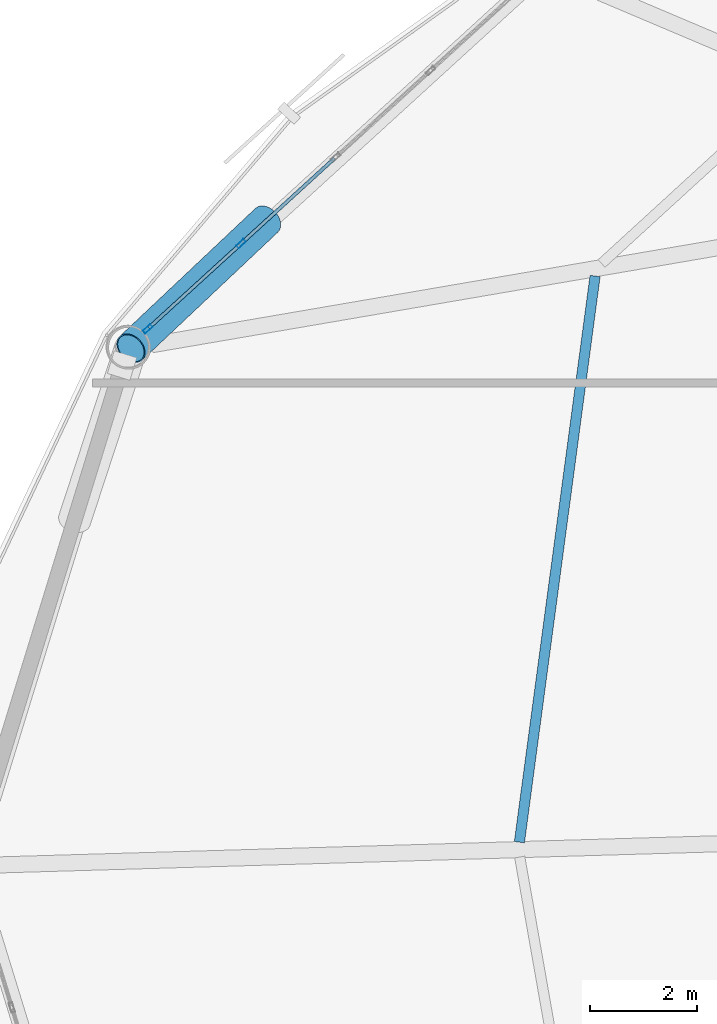
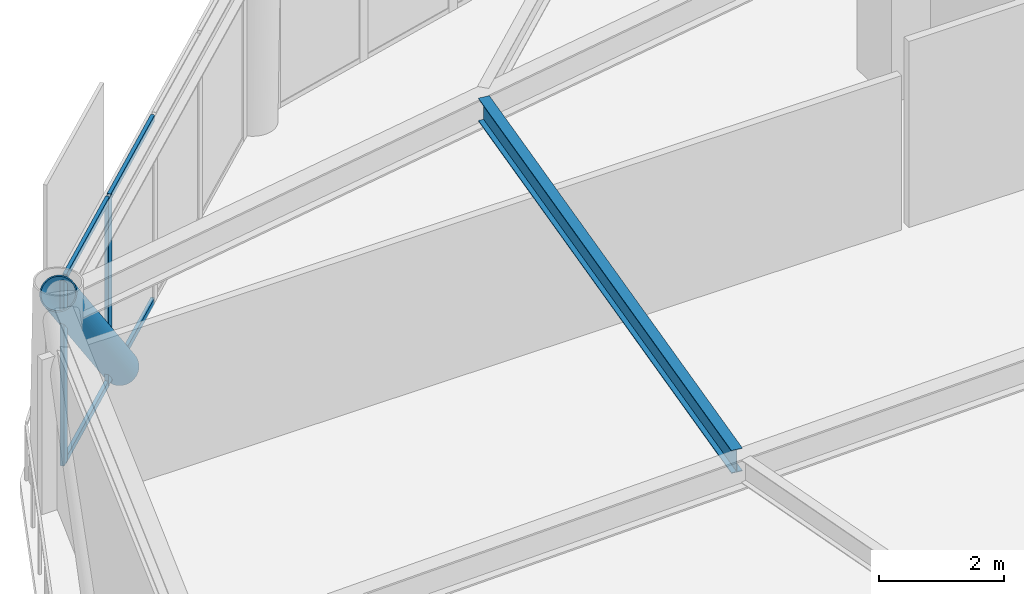
# One storey, part 10 of 24: 7 members, 1 beam, 1 element without a shape of its own.
"""IFC4 building model written with IfcOpenShell, lengths in metres."""

from ifc_helpers import new_model, si_unit, direction, frame, origin, origin_2d, place, context, subcontext, project, spatial, hollow_rectangle, hollow_circle, i_section, extrude, material, layer, layer_set, material_profile, profile_set, type_object, element, aggregate, save


model = new_model("IFC4")

# Units and contexts
model_context = context("Model", 3, precision=1e-05, world=origin(), true_north=direction((0.0, 1.0)))
body_context = subcontext(model_context, "Body", "Model", "MODEL_VIEW")
ifc_project = project(units=[si_unit("LENGTHUNIT", "METRE"), si_unit("AREAUNIT", "SQUARE_METRE"), si_unit("VOLUMEUNIT", "CUBIC_METRE"), si_unit("PLANEANGLEUNIT", "RADIAN"), si_unit("MASSUNIT", "GRAM", prefix="KILO")], contexts=[model_context])

# Site, building, storey
site_placement = place(None, origin())
site = spatial("IfcSite", under=ifc_project, at=site_placement, CompositionType="ELEMENT")
building_placement = place(site_placement, origin())
building = spatial("IfcBuilding", under=site, at=building_placement, Name="Varnakorn Sky Granary", CompositionType="ELEMENT")
storey_placement = place(building_placement, frame((0.0, 0.0, 118.800048828125)))
storey = spatial("IfcBuildingStorey", under=building, at=storey_placement, Name="L29", CompositionType="ELEMENT", Elevation=118.800048828125)

# Beam
ifc_material_1 = material(Name="Steel S355JR", Category="steel")
ifc_material_profile_1 = material_profile(ifc_material_1, i_section(OverallWidth=0.18994140625, OverallDepth=0.449951171875, WebThickness=0.009521484375, FlangeThickness=0.0146484375, at=origin_2d()), Name="IPE 450")
ifc_profile_set_1 = profile_set([ifc_material_profile_1], Name="Steel S355JR")
beam_type = type_object("IfcBeamType", Name="BM-SEC-Z2", PredefinedType="BEAM", material=ifc_profile_set_1)
beam_placement = place(storey_placement, frame((-11.135498046875, 10.990234375, 3.4150390625), z_axis=(-0.132464153469, -0.991187796558, 0.0), x_axis=(0.991187796558, -0.132464153469, 0.0)))
element("IfcBeam", 1, at=beam_placement, inside=storey, type_object=beam_type, Name="Secondary Floor Chord Beam MSB06 L29", PredefinedType="BEAM", context=body_context, shape_type="SweptSolid", body=[
    extrude(i_section(OverallWidth=0.18994140625, OverallDepth=0.449951171875, WebThickness=0.009521484375, FlangeThickness=0.0146484375, at=origin_2d()), origin(), (0.0, 0.0, 1.0), 10.6455078125),
])

# Curtain wall, members
ifc_material_2 = material(Name="Anodised Bronze Aluminium Alloy 6063-T6", Category="aluminium")
ifc_layer = layer(ifc_material_2, 0.179931640625, Name="Anodised Bronze Aluminium Alloy 6063-T6")
ifc_layer_set = layer_set([ifc_layer], Name="Anodised Bronze Aluminium Alloy 6063-T6")
curtain_wall_type = type_object("IfcCurtainWallType", Name="CW-FRM-2", PredefinedType="USERDEFINED", material=ifc_layer_set)
curtain_wall_placement = place(storey_placement, origin())
curtain_wall = element("IfcCurtainWall", 2, at=curtain_wall_placement, inside=storey, type_object=curtain_wall_type, Name="Unitised Curtain Wall CW4 CW-L29-B05", ObjectType="CURTAIN WALL", PredefinedType="USERDEFINED")
ifc_material_profile_2 = material_profile(ifc_material_2, hollow_rectangle(XDim=0.070068359375, YDim=0.18505859375, WallThickness=0.00390625, at=origin_2d()), Name="ALU MULL 70x185")
ifc_profile_set_2 = profile_set([ifc_material_profile_2], Name="Anodised Bronze Aluminium Alloy 6063-T6")
member_type_1 = type_object("IfcMemberType", Name="CW-FRM-2-MULL", PredefinedType="MULLION", material=ifc_profile_set_2)
member_1_placement = place(storey_placement, frame((-19.4736328125, 10.005126953125, 0.0), z_axis=(0.0, 0.0, 1.0), x_axis=(-0.674153081651, 0.738591648003, 0.0)))
member_1 = element("IfcMember", 3, at=member_1_placement, type_object=member_type_1, Name="CW4 mullion 1", PredefinedType="MULLION", context=body_context, shape_type="SweptSolid", body=[
    extrude(hollow_rectangle(XDim=0.070068359375, YDim=0.18505859375, WallThickness=0.00390625, at=origin_2d()), origin(), (0.0, 0.0, 1.0), 3.639892578125),
])
member_2_placement = place(storey_placement, frame((-17.733642578125, 11.593505859375, 0.0), z_axis=(0.0, 0.0, 1.0), x_axis=(-0.674153081651, 0.738591648003, 0.0)))
member_2 = element("IfcMember", 4, at=member_2_placement, type_object=member_type_1, Name="CW4 mullion 2", PredefinedType="MULLION", context=body_context, shape_type="SweptSolid", body=[
    extrude(hollow_rectangle(XDim=0.070068359375, YDim=0.18505859375, WallThickness=0.00390625, at=origin_2d()), origin(), (0.0, 0.0, 1.0), 3.639892578125),
])
ifc_material_profile_3 = material_profile(ifc_material_2, hollow_rectangle(XDim=0.06494140625, YDim=0.1201171875, WallThickness=0.00341796875, at=origin_2d()), Name="ALU TRAN 65x120")
ifc_profile_set_3 = profile_set([ifc_material_profile_3], Name="Anodised Bronze Aluminium Alloy 6063-T6")
member_type_2 = type_object("IfcMemberType", Name="CW-FRM-2-TRAN", PredefinedType="USERDEFINED", material=ifc_profile_set_3)
member_3_placement = place(storey_placement, frame((-19.447998046875, 10.02880859375, 0.032470703125), z_axis=(0.738624207332, 0.674117408426, 0.0), x_axis=(-0.674117408426, 0.738624207332, 0.0)))
member_3 = element("IfcMember", 5, at=member_3_placement, type_object=member_type_2, Name="CW4 transom 1.1", ObjectType="TRANSOM", PredefinedType="USERDEFINED", context=body_context, shape_type="SweptSolid", body=[
    extrude(hollow_rectangle(XDim=0.06494140625, YDim=0.1201171875, WallThickness=0.00341796875, at=origin_2d()), origin(), (0.0, 0.0, 1.0), 2.285888671875),
])
member_4_placement = place(storey_placement, frame((-19.447998046875, 10.02880859375, 3.607421875), z_axis=(0.738624207332, 0.674117408426, 0.0), x_axis=(-0.674117408426, 0.738624207332, 0.0)))
member_4 = element("IfcMember", 6, at=member_4_placement, type_object=member_type_2, Name="CW4 transom 1.2", ObjectType="TRANSOM", PredefinedType="USERDEFINED", context=body_context, shape_type="SweptSolid", body=[
    extrude(hollow_rectangle(XDim=0.06494140625, YDim=0.1201171875, WallThickness=0.00341796875, at=origin_2d()), origin(), (0.0, 0.0, 1.0), 2.285888671875),
])
member_5_placement = place(storey_placement, frame((-17.707763671875, 11.616943359375, 0.032470703125), z_axis=(0.738610727526, 0.674132177829, 0.0), x_axis=(-0.674132177829, 0.738610727526, 0.0)))
member_5 = element("IfcMember", 7, at=member_5_placement, type_object=member_type_2, Name="CW4 transom 2.1", ObjectType="TRANSOM", PredefinedType="USERDEFINED", context=body_context, shape_type="SweptSolid", body=[
    extrude(hollow_rectangle(XDim=0.06494140625, YDim=0.1201171875, WallThickness=0.00341796875, at=origin_2d()), origin(), (0.0, 0.0, 1.0), 2.321044921875),
])
member_6_placement = place(storey_placement, frame((-17.707763671875, 11.616943359375, 3.607421875), z_axis=(0.738610727526, 0.674132177829, 0.0), x_axis=(-0.674132177829, 0.738610727526, 0.0)))
member_6 = element("IfcMember", 8, at=member_6_placement, type_object=member_type_2, Name="CW4 transom 2.2", ObjectType="TRANSOM", PredefinedType="USERDEFINED", context=body_context, shape_type="SweptSolid", body=[
    extrude(hollow_rectangle(XDim=0.06494140625, YDim=0.1201171875, WallThickness=0.00341796875, at=origin_2d()), origin(), (0.0, 0.0, 1.0), 2.321044921875),
])
aggregate(curtain_wall, [member_1, member_2, member_3, member_4, member_5, member_6])

# Member
ifc_material_3 = material(Name="Steel S460M", Category="steel")
ifc_material_profile_4 = material_profile(ifc_material_3, hollow_circle(Radius=0.304931640625, WallThickness=0.022216796875, at=origin_2d()), Name="CHS 610x22")
ifc_profile_set_4 = profile_set([ifc_material_profile_4], Name="Steel S460M")
member_type_3 = type_object("IfcMemberType", Name="MB-DIAG-T1", PredefinedType="BRACE", material=ifc_profile_set_4)
member_7_placement = place(storey_placement, frame((-17.259765625, 12.02587890625, -0.130126953125), z_axis=(-0.492876996596, -0.464870456782, 0.735505081314), x_axis=(0.686136204299, -0.727473098575, 0.0)))
element("IfcMember", 9, at=member_7_placement, inside=storey, type_object=member_type_3, Name="Perimeter CHS Diagrid Brace DG05 L29", PredefinedType="BRACE", context=body_context, shape_type="SweptSolid", body=[
    extrude(hollow_circle(Radius=0.304931640625, WallThickness=0.022216796875, at=origin_2d()), origin(), (0.0, 0.0, 1.0), 5.125732421875),
])

save(model, "model.ifc")
